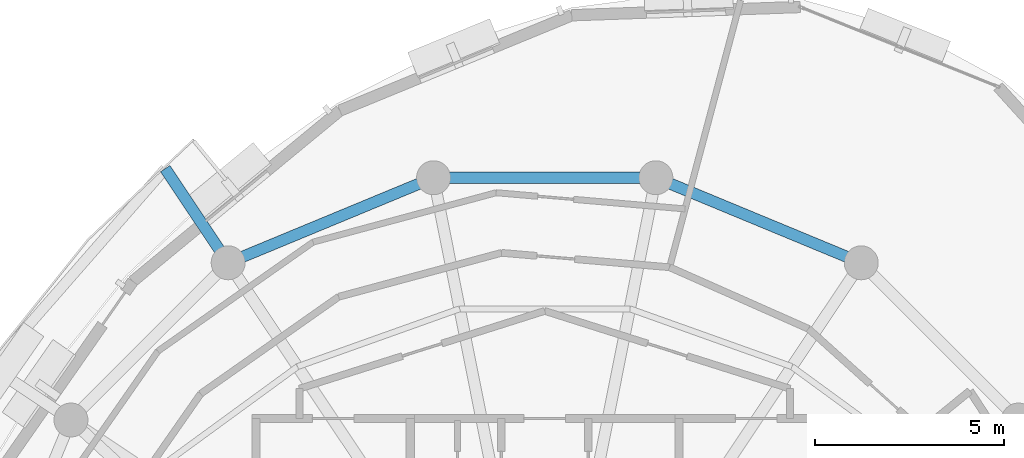
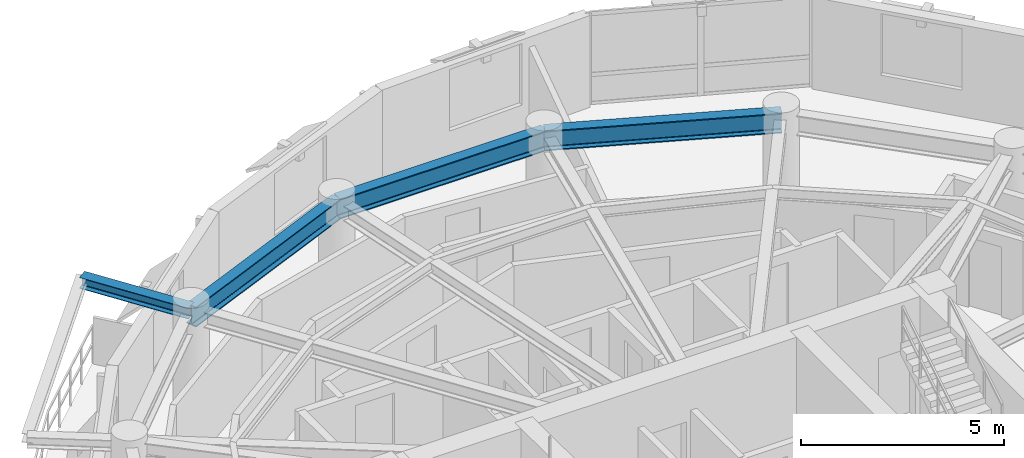
# One storey, part 4 of 11: 4 beams.
"""IFC4 building model written with IfcOpenShell, lengths in metres."""

from ifc_helpers import new_model, si_unit, direction, frame, origin, origin_2d, place, context, subcontext, project, spatial, i_section, extrude, material, material_profile, profile_set, type_object, element, save


model = new_model("IFC4")

# Units and contexts
model_context = context("Model", 3, precision=1e-05, world=origin(), true_north=direction((0.0, 1.0)))
body_context = subcontext(model_context, "Body", "Model", "MODEL_VIEW")
ifc_project = project(units=[si_unit("LENGTHUNIT", "METRE"), si_unit("AREAUNIT", "SQUARE_METRE"), si_unit("VOLUMEUNIT", "CUBIC_METRE"), si_unit("PLANEANGLEUNIT", "RADIAN"), si_unit("MASSUNIT", "GRAM", prefix="KILO"), si_unit("THERMODYNAMICTEMPERATUREUNIT", "KELVIN"), si_unit("POWERUNIT", "WATT")], contexts=[model_context])

# Site, building, storey
site_placement = place(None, origin())
site = spatial("IfcSite", under=ifc_project, at=site_placement, CompositionType="ELEMENT")
building_placement = place(site_placement, origin())
building = spatial("IfcBuilding", under=site, at=building_placement, Name="Ocrelia Relay Tower", CompositionType="ELEMENT")
storey_placement = place(building_placement, frame((0.0, 0.0, 259.199951171875)))
storey = spatial("IfcBuildingStorey", under=building, at=storey_placement, Name="L64", CompositionType="ELEMENT", Elevation=259.199951171875)

# Beams
ifc_material = material(Name="Steel S355", Category="steel")
ifc_material_profile_1 = material_profile(ifc_material, i_section(OverallWidth=0.300048828125, OverallDepth=0.330078125, WebThickness=0.009521484375, FlangeThickness=0.0166015625, FilletRadius=0.027099609375, at=origin_2d()), Name="HEA 340")
ifc_profile_set_1 = profile_set([ifc_material_profile_1], Name="Steel S355")
beam_type_1 = type_object("IfcBeamType", Name="BM-HEA340", PredefinedType="BEAM", material=ifc_profile_set_1)
beam_1_placement = place(storey_placement, frame((25.61083984375, 38.55517578125, 3.215087890625), z_axis=(-0.555582805035, 0.831461211813, 0.0), x_axis=(-0.831461211813, -0.555582805035, 0.0)))
element("IfcBeam", 1, at=beam_1_placement, inside=storey, type_object=beam_type_1, Name="L65 Balcony Cantilever Beam B1-1", PredefinedType="BEAM", context=body_context, shape_type="SweptSolid", body=[
    extrude(i_section(OverallWidth=0.300048828125, OverallDepth=0.330078125, WebThickness=0.009521484375, FlangeThickness=0.0166015625, FilletRadius=0.027099609375, at=origin_2d()), origin(), (0.0, 0.0, 1.0), 2.9990234375),
])
ifc_material_profile_2 = material_profile(ifc_material, i_section(OverallWidth=0.300048828125, OverallDepth=0.60009765625, WebThickness=0.015380859375, FlangeThickness=0.030029296875, FilletRadius=0.027099609375, at=origin_2d()), Name="HEB 600")
ifc_profile_set_2 = profile_set([ifc_material_profile_2], Name="Steel S355")
beam_type_2 = type_object("IfcBeamType", Name="BM-HEB600", PredefinedType="BEAM", material=ifc_profile_set_2)
beam_2_placement = place(storey_placement, frame((42.38916015625, 38.55517578125, 3.080078125), z_axis=(-0.923884009374, 0.382672624084, 0.0), x_axis=(-0.382672624084, -0.923884009374, 0.0)))
element("IfcBeam", 2, at=beam_2_placement, inside=storey, type_object=beam_type_2, Name="L64 Perimeter Spandrel Beam S03", PredefinedType="BEAM", context=body_context, shape_type="SweptSolid", body=[
    extrude(i_section(OverallWidth=0.300048828125, OverallDepth=0.60009765625, WebThickness=0.015380859375, FlangeThickness=0.030029296875, FilletRadius=0.027099609375, at=origin_2d()), origin(), (0.0, 0.0, 1.0), 5.891845703125),
])
beam_3_placement = place(storey_placement, frame((36.94580078125, 40.809814453125, 3.080078125), z_axis=(-1.0, 0.0, 0.0), x_axis=(0.0, -1.0, 0.0)))
element("IfcBeam", 3, at=beam_3_placement, inside=storey, type_object=beam_type_2, Name="L64 Perimeter Spandrel Beam S04", PredefinedType="BEAM", context=body_context, shape_type="SweptSolid", body=[
    extrude(i_section(OverallWidth=0.300048828125, OverallDepth=0.60009765625, WebThickness=0.015380859375, FlangeThickness=0.030029296875, FilletRadius=0.027099609375, at=origin_2d()), origin(), (0.0, 0.0, 1.0), 5.8916015625),
])
beam_4_placement = place(storey_placement, frame((31.05419921875, 40.809814453125, 3.080078125), z_axis=(-0.923884009374, -0.382672624084, 0.0), x_axis=(0.382672624084, -0.923884009374, 0.0)))
element("IfcBeam", 4, at=beam_4_placement, inside=storey, type_object=beam_type_2, Name="L64 Perimeter Spandrel Beam S05", PredefinedType="BEAM", context=body_context, shape_type="SweptSolid", body=[
    extrude(i_section(OverallWidth=0.300048828125, OverallDepth=0.60009765625, WebThickness=0.015380859375, FlangeThickness=0.030029296875, FilletRadius=0.027099609375, at=origin_2d()), origin(), (0.0, 0.0, 1.0), 5.891845703125),
])

save(model, "model.ifc")
